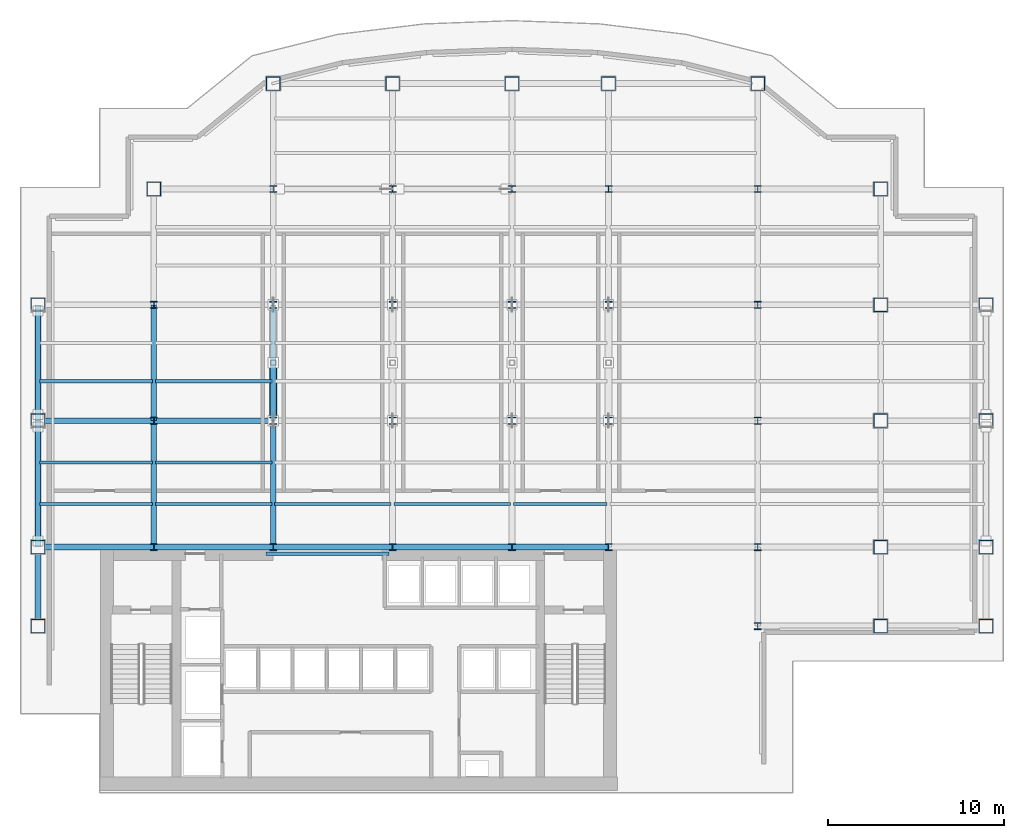
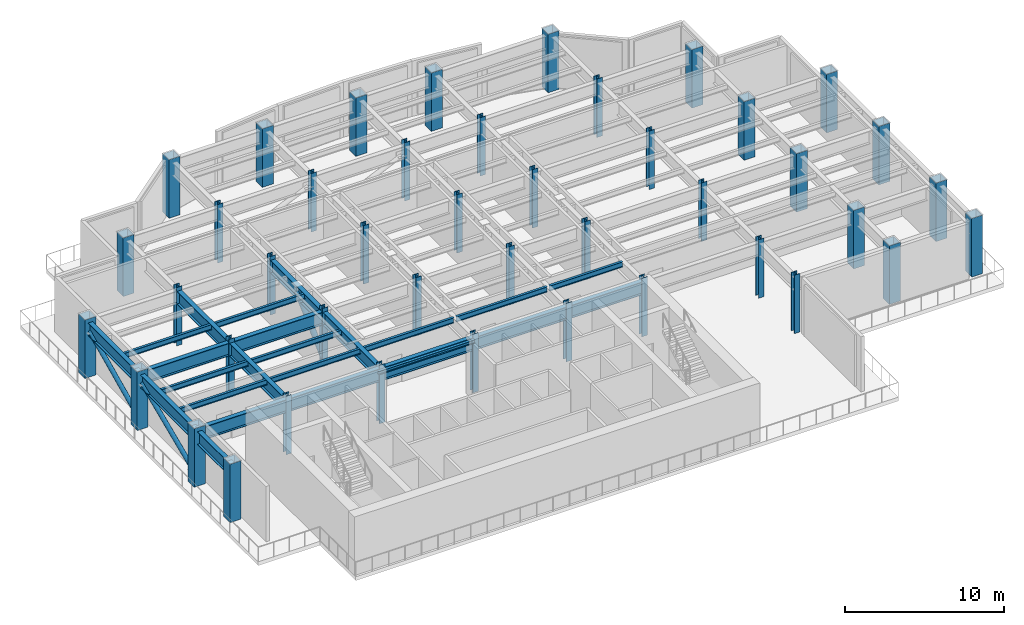
# One storey, part 1 of 12: 43 columns, 24 beams, 3 members.
"""IFC4 building model written with IfcOpenShell, lengths in metres."""

from ifc_helpers import new_model, si_unit, derived_unit, direction, frame, origin, origin_2d, place, context, subcontext, project, spatial, hollow_rectangle, hollow_circle, i_section, extrude, source, transform, mapped, material, material_profile, profile_set, type_object, element, save


model = new_model("IFC4")

# Units and contexts
model_context = context("Model", 3, precision=1e-05, world=origin(), true_north=direction((0.0, 1.0)))
body_context = subcontext(model_context, "Body", "Model", "MODEL_VIEW")
ifc_project = project(units=[si_unit("LENGTHUNIT", "METRE"), si_unit("AREAUNIT", "SQUARE_METRE"), si_unit("VOLUMEUNIT", "CUBIC_METRE"), si_unit("PLANEANGLEUNIT", "RADIAN"), si_unit("MASSUNIT", "GRAM", prefix="KILO"), derived_unit("THERMALTRANSMITTANCEUNIT", [(si_unit("POWERUNIT", "WATT"), 1), (si_unit("LENGTHUNIT", "METRE"), -2), (si_unit("THERMODYNAMICTEMPERATUREUNIT", "KELVIN"), -1)])], contexts=[model_context])

# Site, building, storey
site_placement = place(None, origin())
site = spatial("IfcSite", under=ifc_project, at=site_placement, CompositionType="ELEMENT")
building_placement = place(site_placement, origin())
building = spatial("IfcBuilding", under=site, at=building_placement, Name="Skarnbrae Concourse Arena and Tower", CompositionType="ELEMENT")
storey_placement = place(building_placement, frame((0.0, 0.0, 136.10009765625)))
storey = spatial("IfcBuildingStorey", under=building, at=storey_placement, Name="L34", CompositionType="ELEMENT", Elevation=136.10009765625)

# Columns
ifc_material = material(Name="Steel CSA G40.21 350W", Category="steel")
ifc_material_profile_1 = material_profile(ifc_material, hollow_rectangle(XDim=0.800048828125, YDim=0.800048828125, WallThickness=0.0400390625, at=origin_2d()), Name="BOX800X800X40")
ifc_profile_set_1 = profile_set([ifc_material_profile_1], Name="Steel CSA G40.21 350W")
column_type_1 = type_object("IfcColumnType", Name="COL-TUBE-BOX800", PredefinedType="COLUMN", material=ifc_profile_set_1)
shared_shape_1 = source(origin(), body_context, "Body", "SweptSolid", [
    extrude(hollow_rectangle(XDim=0.800048828125, YDim=0.800048828125, WallThickness=0.0400390625, at=origin_2d()), origin(), (0.0, 0.0, 1.0), 4.5),
])
for number, where, z_axis, x_axis, name in (
    (1, (1.0, 9.5, 0.0), (0.0, 0.0, 1.0), (1.0, 0.0, 0.0), "L34 Tower column PC_01_01"),
    (2, (1.0, 14.0, 0.0), (0.0, 0.0, 1.0), (1.0, 0.0, 0.0), "L34 Tower column PC_01_02"),
    (3, (1.0, 21.199951171875, 0.0), (0.0, 0.0, 1.0), (1.0, 0.0, 0.0), "L34 Tower column PC_01_03"),
    (4, (1.0, 27.800048828125, 0.0), (0.0, 0.0, 1.0), (1.0, 0.0, 0.0), "L34 Tower column PC_01_04"),
    (5, (7.60009765625, 34.39990234375, 0.0), (0.0, 0.0, 1.0), (1.0, 0.0, 0.0), "L34 Tower column PC_02_05"),
    (6, (14.39990234375, 40.39990234375, 0.0), (0.0, 0.0, 1.0), (1.0, 0.0, 0.0), "L34 Tower column PC_03_06"),
    (7, (21.199951171875, 40.39990234375, 0.0), (0.0, 0.0, 1.0), (1.0, 0.0, 0.0), "L34 Tower column PC_04_06"),
    (8, (28.0, 40.39990234375, 0.0), (0.0, 0.0, 1.0), (1.0, 0.0, 0.0), "L34 Tower column PC_05_06"),
    (9, (33.5, 40.39990234375, 0.0), (0.0, 0.0, 1.0), (1.0, 0.0, 0.0), "L34 Tower column PC_06_06"),
    (10, (42.0, 40.39990234375, 0.0), (0.0, 0.0, 1.0), (1.0, 0.0, 0.0), "L34 Tower column PC_07_06"),
    (11, (49.0, 9.5, 0.0), (0.0, 0.0, 1.0), (1.0, 0.0, 0.0), "L34 Tower column PC_08_01"),
    (12, (49.0, 14.0, 0.0), (0.0, 0.0, 1.0), (1.0, 0.0, 0.0), "L34 Tower column PC_08_02"),
    (13, (49.0, 21.199951171875, 0.0), (0.0, 0.0, 1.0), (1.0, 0.0, 0.0), "L34 Tower column PC_08_03"),
    (14, (49.0, 27.800048828125, 0.0), (0.0, 0.0, 1.0), (1.0, 0.0, 0.0), "L34 Tower column PC_08_04"),
    (15, (49.0, 34.39990234375, 0.0), (0.0, 0.0, 1.0), (1.0, 0.0, 0.0), "L34 Tower column PC_08_05"),
    (16, (55.0, 9.5, 0.0), (0.0, 0.0, 1.0), (1.0, 0.0, 0.0), "L34 Tower column PC_09_01"),
    (17, (55.0, 14.0, 0.0), (0.0, 0.0, 1.0), (1.0, 0.0, 0.0), "L34 Tower column PC_09_02"),
    (18, (55.0, 21.199951171875, 0.0), (0.0, 0.0, 1.0), (1.0, 0.0, 0.0), "L34 Tower column PC_09_03"),
    (19, (55.0, 27.800048828125, 0.0), (0.0, 0.0, 1.0), (1.0, 0.0, 0.0), "L34 Tower column PC_09_04"),
):
    element("IfcColumn", number, at=place(storey_placement, frame(where, z_axis=z_axis, x_axis=x_axis)), inside=storey, type_object=column_type_1, Name=name, PredefinedType="COLUMN", context=body_context, shape_type="MappedRepresentation", body=[
        mapped(shared_shape_1, transform((0.0, 0.0, 0.0))),
    ])
ifc_material_profile_2 = material_profile(ifc_material, i_section(OverallWidth=0.39892578125, OverallDepth=0.39306640625, WebThickness=0.022705078125, FlangeThickness=0.03662109375, at=origin_2d()), Name="W360X287")
ifc_profile_set_2 = profile_set([ifc_material_profile_2], Name="Steel CSA G40.21 350W")
column_type_2 = type_object("IfcColumnType", Name="COL-INT-W360X287", PredefinedType="COLUMN", material=ifc_profile_set_2)
shared_shape_2 = source(origin(), body_context, "Body", "SweptSolid", [
    extrude(i_section(OverallWidth=0.39892578125, OverallDepth=0.39306640625, WebThickness=0.022705078125, FlangeThickness=0.03662109375, at=origin_2d()), origin(), (0.0, 0.0, 1.0), 4.5),
])
for number, where, z_axis, x_axis, name in (
    (20, (7.60009765625, 14.0, 0.0), (0.0, 0.0, 1.0), (1.0, 0.0, 0.0), "L34 Tower column IC_02_02"),
    (21, (7.60009765625, 21.199951171875, 0.0), (0.0, 0.0, 1.0), (1.0, 0.0, 0.0), "L34 Tower column IC_02_03"),
    (22, (7.60009765625, 27.800048828125, 0.0), (0.0, 0.0, 1.0), (1.0, 0.0, 0.0), "L34 Tower column IC_02_04"),
    (23, (14.39990234375, 14.0, 0.0), (0.0, 0.0, 1.0), (1.0, 0.0, 0.0), "L34 Tower column IC_03_02"),
    (24, (14.39990234375, 21.199951171875, 0.0), (0.0, 0.0, 1.0), (1.0, 0.0, 0.0), "L34 Tower column IC_03_03"),
    (25, (14.39990234375, 27.800048828125, 0.0), (0.0, 0.0, 1.0), (1.0, 0.0, 0.0), "L34 Tower column IC_03_04"),
    (26, (14.39990234375, 34.39990234375, 0.0), (0.0, 0.0, 1.0), (1.0, 0.0, 0.0), "L34 Tower column IC_03_05"),
    (27, (21.199951171875, 14.0, 0.0), (0.0, 0.0, 1.0), (1.0, 0.0, 0.0), "L34 Tower column IC_04_02"),
    (28, (21.199951171875, 21.199951171875, 0.0), (0.0, 0.0, 1.0), (1.0, 0.0, 0.0), "L34 Tower column IC_04_03"),
    (29, (21.199951171875, 27.800048828125, 0.0), (0.0, 0.0, 1.0), (1.0, 0.0, 0.0), "L34 Tower column IC_04_04"),
    (30, (21.199951171875, 34.39990234375, 0.0), (0.0, 0.0, 1.0), (1.0, 0.0, 0.0), "L34 Tower column IC_04_05"),
    (31, (28.0, 14.0, 0.0), (0.0, 0.0, 1.0), (1.0, 0.0, 0.0), "L34 Tower column IC_05_02"),
    (32, (28.0, 21.199951171875, 0.0), (0.0, 0.0, 1.0), (1.0, 0.0, 0.0), "L34 Tower column IC_05_03"),
    (33, (28.0, 27.800048828125, 0.0), (0.0, 0.0, 1.0), (1.0, 0.0, 0.0), "L34 Tower column IC_05_04"),
    (34, (28.0, 34.39990234375, 0.0), (0.0, 0.0, 1.0), (1.0, 0.0, 0.0), "L34 Tower column IC_05_05"),
    (35, (33.5, 14.0, 0.0), (0.0, 0.0, 1.0), (1.0, 0.0, 0.0), "L34 Tower column IC_06_02"),
    (36, (33.5, 21.199951171875, 0.0), (0.0, 0.0, 1.0), (1.0, 0.0, 0.0), "L34 Tower column IC_06_03"),
    (37, (33.5, 27.800048828125, 0.0), (0.0, 0.0, 1.0), (1.0, 0.0, 0.0), "L34 Tower column IC_06_04"),
    (38, (33.5, 34.39990234375, 0.0), (0.0, 0.0, 1.0), (1.0, 0.0, 0.0), "L34 Tower column IC_06_05"),
    (39, (42.0, 9.5, 0.0), (0.0, 0.0, 1.0), (1.0, 0.0, 0.0), "L34 Tower column IC_07_01"),
    (40, (42.0, 14.0, 0.0), (0.0, 0.0, 1.0), (1.0, 0.0, 0.0), "L34 Tower column IC_07_02"),
    (41, (42.0, 21.199951171875, 0.0), (0.0, 0.0, 1.0), (1.0, 0.0, 0.0), "L34 Tower column IC_07_03"),
    (42, (42.0, 27.800048828125, 0.0), (0.0, 0.0, 1.0), (1.0, 0.0, 0.0), "L34 Tower column IC_07_04"),
    (43, (42.0, 34.39990234375, 0.0), (0.0, 0.0, 1.0), (1.0, 0.0, 0.0), "L34 Tower column IC_07_05"),
):
    element("IfcColumn", number, at=place(storey_placement, frame(where, z_axis=z_axis, x_axis=x_axis)), inside=storey, type_object=column_type_2, Name=name, PredefinedType="COLUMN", context=body_context, shape_type="MappedRepresentation", body=[
        mapped(shared_shape_2, transform((0.0, 0.0, 0.0))),
    ])

# Beams
ifc_material_profile_3 = material_profile(ifc_material, i_section(OverallWidth=0.202880859375, OverallDepth=0.251953125, WebThickness=0.008056640625, FlangeThickness=0.013427734375, at=origin_2d()), Name="W250X58")
ifc_profile_set_3 = profile_set([ifc_material_profile_3], Name="Steel CSA G40.21 350W")
beam_type_1 = type_object("IfcBeamType", Name="BM-LINTEL-W250X58", PredefinedType="LINTEL", material=ifc_profile_set_3)
shared_shape_3 = source(origin(), body_context, "Body", "SweptSolid", [
    extrude(i_section(OverallWidth=0.202880859375, OverallDepth=0.251953125, WebThickness=0.008056640625, FlangeThickness=0.013427734375, at=origin_2d()), origin(), (0.0, 0.0, 1.0), 7.0),
])
beam_1_placement = place(storey_placement, frame((14.0, 13.625, 4.1240234375), z_axis=(1.0, 0.0, 0.0), x_axis=(0.0, 1.0, 0.0)))
element("IfcBeam", 44, at=beam_1_placement, inside=storey, type_object=beam_type_1, Name="L34 Core portal coupling lintel", PredefinedType="LINTEL", context=body_context, shape_type="MappedRepresentation", body=[
    mapped(shared_shape_3, transform((0.0, 0.0, 0.0))),
])
ifc_material_profile_4 = material_profile(ifc_material, i_section(OverallWidth=0.327880859375, OverallDepth=1.0, WebThickness=0.02099609375, FlangeThickness=0.03759765625, at=origin_2d()), Name="W1000X371")
ifc_profile_set_4 = profile_set([ifc_material_profile_4], Name="Steel CSA G40.21 350W")
beam_type_2 = type_object("IfcBeamType", Name="BM-XFER-W1000X371", PredefinedType="BEAM", material=ifc_profile_set_4)
shared_shape_4 = source(origin(), body_context, "Body", "SweptSolid", [
    extrude(i_section(OverallWidth=0.327880859375, OverallDepth=1.0, WebThickness=0.02099609375, FlangeThickness=0.03759765625, at=origin_2d()), origin(), (0.0, 0.0, 1.0), 6.60009765625),
])
for number, where, z_axis, x_axis, name in (
    (45, (1.0, 14.0, 3.699951171875), (1.0, 0.0, 0.0), (0.0, 1.0, 0.0), "L34 Primary E-W girder Y14.0-1"),
    (46, (1.0, 21.199951171875, 3.699951171875), (1.0, 0.0, 0.0), (0.0, 1.0, 0.0), "L34 Primary E-W girder Y21.2-1"),
    (47, (1.0, 21.199951171875, 3.699951171875), (0.0, 1.0, 0.0), (-1.0, 0.0, 0.0), "L34 Perimeter spandrel X1.0-3"),
    (48, (7.60009765625, 21.199951171875, 3.699951171875), (0.0, 1.0, 0.0), (-1.0, 0.0, 0.0), "L34 Primary N-S girder X7.6-2"),
    (49, (14.39990234375, 21.199951171875, 3.699951171875), (0.0, 1.0, 0.0), (-1.0, 0.0, 0.0), "L34 Primary N-S girder X14.4-2"),
):
    element("IfcBeam", number, at=place(storey_placement, frame(where, z_axis=z_axis, x_axis=x_axis)), inside=storey, type_object=beam_type_2, Name=name, PredefinedType="BEAM", context=body_context, shape_type="MappedRepresentation", body=[
        mapped(shared_shape_4, transform((0.0, 0.0, 0.0))),
    ])
shared_shape_5 = source(origin(), body_context, "Body", "SweptSolid", [
    extrude(i_section(OverallWidth=0.327880859375, OverallDepth=1.0, WebThickness=0.02099609375, FlangeThickness=0.03759765625, at=origin_2d()), origin(), (0.0, 0.0, 1.0), 6.7998046875),
])
for number, where, z_axis, x_axis, name in (
    (50, (7.60009765625, 14.0, 3.699951171875), (1.0, 0.0, 0.0), (0.0, 1.0, 0.0), "L34 Primary E-W girder Y14.0-2"),
    (51, (7.60009765625, 21.199951171875, 3.699951171875), (1.0, 0.0, 0.0), (0.0, 1.0, 0.0), "L34 Primary E-W girder Y21.2-2"),
):
    element("IfcBeam", number, at=place(storey_placement, frame(where, z_axis=z_axis, x_axis=x_axis)), inside=storey, type_object=beam_type_2, Name=name, PredefinedType="BEAM", context=body_context, shape_type="MappedRepresentation", body=[
        mapped(shared_shape_5, transform((0.0, 0.0, 0.0))),
    ])
shared_shape_6 = source(origin(), body_context, "Body", "SweptSolid", [
    extrude(i_section(OverallWidth=0.327880859375, OverallDepth=1.0, WebThickness=0.02099609375, FlangeThickness=0.03759765625, at=origin_2d()), origin(), (0.0, 0.0, 1.0), 6.800048828125),
])
for number, where, z_axis, x_axis, name in (
    (52, (14.39990234375, 14.0, 3.699951171875), (1.0, 0.0, 0.0), (0.0, 1.0, 0.0), "L34 Primary E-W girder Y14.0-3"),
    (53, (21.199951171875, 14.0, 3.699951171875), (1.0, 0.0, 0.0), (0.0, 1.0, 0.0), "L34 Primary E-W girder Y14.0-4"),
):
    element("IfcBeam", number, at=place(storey_placement, frame(where, z_axis=z_axis, x_axis=x_axis)), inside=storey, type_object=beam_type_2, Name=name, PredefinedType="BEAM", context=body_context, shape_type="MappedRepresentation", body=[
        mapped(shared_shape_6, transform((0.0, 0.0, 0.0))),
    ])
shared_shape_7 = source(origin(), body_context, "Body", "SweptSolid", [
    extrude(i_section(OverallWidth=0.327880859375, OverallDepth=1.0, WebThickness=0.02099609375, FlangeThickness=0.03759765625, at=origin_2d()), origin(), (0.0, 0.0, 1.0), 5.5),
])
beam_2_placement = place(storey_placement, frame((28.0, 14.0, 3.699951171875), z_axis=(1.0, 0.0, 0.0), x_axis=(0.0, 1.0, 0.0)))
element("IfcBeam", 54, at=beam_2_placement, inside=storey, type_object=beam_type_2, Name="L34 Primary E-W girder Y14.0-5", PredefinedType="BEAM", context=body_context, shape_type="MappedRepresentation", body=[
    mapped(shared_shape_7, transform((0.0, 0.0, 0.0))),
])
shared_shape_8 = source(origin(), body_context, "Body", "SweptSolid", [
    extrude(i_section(OverallWidth=0.327880859375, OverallDepth=1.0, WebThickness=0.02099609375, FlangeThickness=0.03759765625, at=origin_2d()), origin(), (0.0, 0.0, 1.0), 4.5),
])
beam_3_placement = place(storey_placement, frame((1.0, 9.5, 3.699951171875), z_axis=(0.0, 1.0, 0.0), x_axis=(-1.0, 0.0, 0.0)))
element("IfcBeam", 55, at=beam_3_placement, inside=storey, type_object=beam_type_2, Name="L34 Perimeter spandrel X1.0-1", PredefinedType="BEAM", context=body_context, shape_type="MappedRepresentation", body=[
    mapped(shared_shape_8, transform((0.0, 0.0, 0.0))),
])
shared_shape_9 = source(origin(), body_context, "Body", "SweptSolid", [
    extrude(i_section(OverallWidth=0.327880859375, OverallDepth=1.0, WebThickness=0.02099609375, FlangeThickness=0.03759765625, at=origin_2d()), origin(), (0.0, 0.0, 1.0), 7.199951171875),
])
for number, where, z_axis, x_axis, name in (
    (56, (1.0, 14.0, 3.699951171875), (0.0, 1.0, 0.0), (-1.0, 0.0, 0.0), "L34 Perimeter spandrel X1.0-2"),
    (57, (7.60009765625, 14.0, 3.699951171875), (0.0, 1.0, 0.0), (-1.0, 0.0, 0.0), "L34 Primary N-S girder X7.6-1"),
    (58, (14.39990234375, 14.0, 3.699951171875), (0.0, 1.0, 0.0), (-1.0, 0.0, 0.0), "L34 Primary N-S girder X14.4-1"),
):
    element("IfcBeam", number, at=place(storey_placement, frame(where, z_axis=z_axis, x_axis=x_axis)), inside=storey, type_object=beam_type_2, Name=name, PredefinedType="BEAM", context=body_context, shape_type="MappedRepresentation", body=[
        mapped(shared_shape_9, transform((0.0, 0.0, 0.0))),
    ])
ifc_material_profile_5 = material_profile(ifc_material, i_section(OverallWidth=0.177978515625, OverallDepth=0.406982421875, WebThickness=0.0078125, FlangeThickness=0.0126953125, at=origin_2d()), Name="W410X60")
ifc_profile_set_5 = profile_set([ifc_material_profile_5], Name="Steel CSA G40.21 350W")
beam_type_3 = type_object("IfcBeamType", Name="BM-JOIST-W410X60", PredefinedType="JOIST", material=ifc_profile_set_5)
shared_shape_10 = source(origin(), body_context, "Body", "SweptSolid", [
    extrude(i_section(OverallWidth=0.177978515625, OverallDepth=0.406982421875, WebThickness=0.0078125, FlangeThickness=0.0126953125, at=origin_2d()), origin(), (0.0, 0.0, 1.0), 6.43994140625),
])
for number, where, z_axis, x_axis, name in (
    (59, (1.080078125, 16.447998046875, 3.996337890625), (1.0, 0.0, 0.0), (0.0, 1.0, 0.0), "L34 Secondary floor joist 1.1.1"),
    (60, (1.080078125, 18.823974609375, 3.996337890625), (1.0, 0.0, 0.0), (0.0, 1.0, 0.0), "L34 Secondary floor joist 1.2.1"),
    (61, (1.080078125, 23.444091796875, 3.996337890625), (1.0, 0.0, 0.0), (0.0, 1.0, 0.0), "L34 Secondary floor joist 2.1.1"),
):
    element("IfcBeam", number, at=place(storey_placement, frame(where, z_axis=z_axis, x_axis=x_axis)), inside=storey, type_object=beam_type_3, Name=name, PredefinedType="JOIST", context=body_context, shape_type="MappedRepresentation", body=[
        mapped(shared_shape_10, transform((0.0, 0.0, 0.0))),
    ])
shared_shape_11 = source(origin(), body_context, "Body", "SweptSolid", [
    extrude(i_section(OverallWidth=0.177978515625, OverallDepth=0.406982421875, WebThickness=0.0078125, FlangeThickness=0.0126953125, at=origin_2d()), origin(), (0.0, 0.0, 1.0), 6.64013671875),
])
for number, where, z_axis, x_axis, name in (
    (62, (7.679931640625, 16.447998046875, 3.996337890625), (1.0, 0.0, 0.0), (0.0, 1.0, 0.0), "L34 Secondary floor joist 1.1.2"),
    (63, (14.47998046875, 16.447998046875, 3.996337890625), (1.0, 0.0, 0.0), (0.0, 1.0, 0.0), "L34 Secondary floor joist 1.1.3"),
    (64, (7.679931640625, 18.823974609375, 3.996337890625), (1.0, 0.0, 0.0), (0.0, 1.0, 0.0), "L34 Secondary floor joist 1.2.2"),
    (65, (7.679931640625, 23.444091796875, 3.996337890625), (1.0, 0.0, 0.0), (0.0, 1.0, 0.0), "L34 Secondary floor joist 2.1.2"),
):
    element("IfcBeam", number, at=place(storey_placement, frame(where, z_axis=z_axis, x_axis=x_axis)), inside=storey, type_object=beam_type_3, Name=name, PredefinedType="JOIST", context=body_context, shape_type="MappedRepresentation", body=[
        mapped(shared_shape_11, transform((0.0, 0.0, 0.0))),
    ])
shared_shape_12 = source(origin(), body_context, "Body", "SweptSolid", [
    extrude(i_section(OverallWidth=0.177978515625, OverallDepth=0.406982421875, WebThickness=0.0078125, FlangeThickness=0.0126953125, at=origin_2d()), origin(), (0.0, 0.0, 1.0), 6.639892578125),
])
beam_4_placement = place(storey_placement, frame((21.280029296875, 16.447998046875, 3.996337890625), z_axis=(1.0, 0.0, 0.0), x_axis=(0.0, 1.0, 0.0)))
element("IfcBeam", 66, at=beam_4_placement, inside=storey, type_object=beam_type_3, Name="L34 Secondary floor joist 1.1.4", PredefinedType="JOIST", context=body_context, shape_type="MappedRepresentation", body=[
    mapped(shared_shape_12, transform((0.0, 0.0, 0.0))),
])
shared_shape_13 = source(origin(), body_context, "Body", "SweptSolid", [
    extrude(i_section(OverallWidth=0.177978515625, OverallDepth=0.406982421875, WebThickness=0.0078125, FlangeThickness=0.0126953125, at=origin_2d()), origin(), (0.0, 0.0, 1.0), 5.33984375),
])
beam_5_placement = place(storey_placement, frame((28.080078125, 16.447998046875, 3.996337890625), z_axis=(1.0, 0.0, 0.0), x_axis=(0.0, 1.0, 0.0)))
element("IfcBeam", 67, at=beam_5_placement, inside=storey, type_object=beam_type_3, Name="L34 Secondary floor joist 1.1.5", PredefinedType="JOIST", context=body_context, shape_type="MappedRepresentation", body=[
    mapped(shared_shape_13, transform((0.0, 0.0, 0.0))),
])

# Members
ifc_material_profile_6 = material_profile(ifc_material, hollow_circle(Radius=0.203125, WallThickness=0.02197265625, at=origin_2d()), Name="HSS406X22.0")
ifc_profile_set_6 = profile_set([ifc_material_profile_6], Name="Steel CSA G40.21 350W")
member_type_1 = type_object("IfcMemberType", Name="MEM-OUTRIG-CHS406", PredefinedType="BRACE", material=ifc_profile_set_6)
shared_shape_14 = source(origin(), body_context, "Body", "SweptSolid", [
    extrude(hollow_circle(Radius=0.203125, WallThickness=0.02197265625, at=origin_2d()), origin(), (0.0, 0.0, 1.0), 4.52783203125),
])
member_1_placement = place(storey_placement, frame((14.39990234375, 21.199951171875, 0.5498046875), z_axis=(0.0, 0.728842364395, 0.684681537551), x_axis=(-1.0, 0.0, 0.0)))
element("IfcMember", 68, at=member_1_placement, inside=storey, type_object=member_type_1, Name="L34 Core outrigger trusses diagonal O1.1", PredefinedType="BRACE", context=body_context, shape_type="MappedRepresentation", body=[
    mapped(shared_shape_14, transform((0.0, 0.0, 0.0))),
])
ifc_material_profile_7 = material_profile(ifc_material, hollow_circle(Radius=0.161865234375, WallThickness=0.01904296875, at=origin_2d()), Name="HSS324X19.0")
ifc_profile_set_7 = profile_set([ifc_material_profile_7], Name="Steel CSA G40.21 350W")
member_type_2 = type_object("IfcMemberType", Name="MEM-BELT-CHS324", PredefinedType="BRACE", material=ifc_profile_set_7)
shared_shape_15 = source(origin(), body_context, "Body", "SweptSolid", [
    extrude(hollow_circle(Radius=0.161865234375, WallThickness=0.01904296875, at=origin_2d()), origin(), (0.0, 0.0, 1.0), 7.069091796875),
])
member_2_placement = place(storey_placement, frame((1.0, 14.353515625, 0.7021484375), z_axis=(0.0, 0.9184917502, 0.39544014062), x_axis=(-1.0, 0.0, 0.0)))
element("IfcMember", 69, at=member_2_placement, inside=storey, type_object=member_type_2, Name="L34 Perimeter belt trusses diagonal B01", PredefinedType="BRACE", context=body_context, shape_type="MappedRepresentation", body=[
    mapped(shared_shape_15, transform((0.0, 0.0, 0.0))),
])
shared_shape_16 = source(origin(), body_context, "Body", "SweptSolid", [
    extrude(hollow_circle(Radius=0.161865234375, WallThickness=0.01904296875, at=origin_2d()), origin(), (0.0, 0.0, 1.0), 6.521484375),
])
member_3_placement = place(storey_placement, frame((1.0, 21.548583984375, 0.713623046875), z_axis=(0.0, 0.905134063645, 0.425126248108), x_axis=(-1.0, 0.0, 0.0)))
element("IfcMember", 70, at=member_3_placement, inside=storey, type_object=member_type_2, Name="L34 Perimeter belt trusses diagonal B02", PredefinedType="BRACE", context=body_context, shape_type="MappedRepresentation", body=[
    mapped(shared_shape_16, transform((0.0, 0.0, 0.0))),
])

save(model, "model.ifc")
